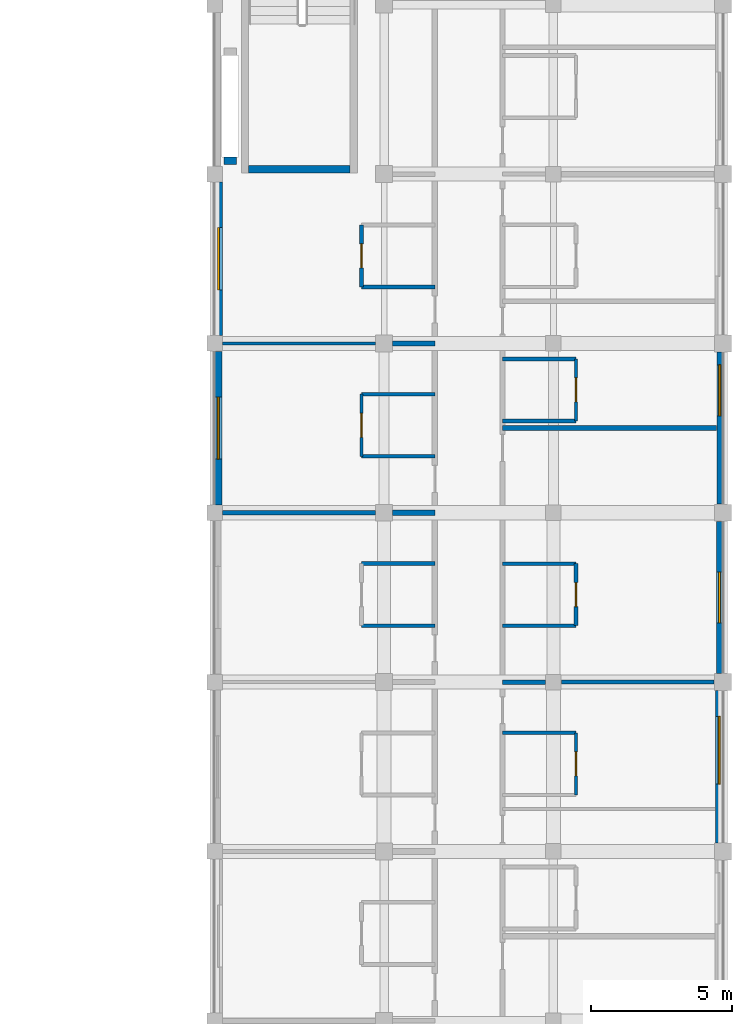
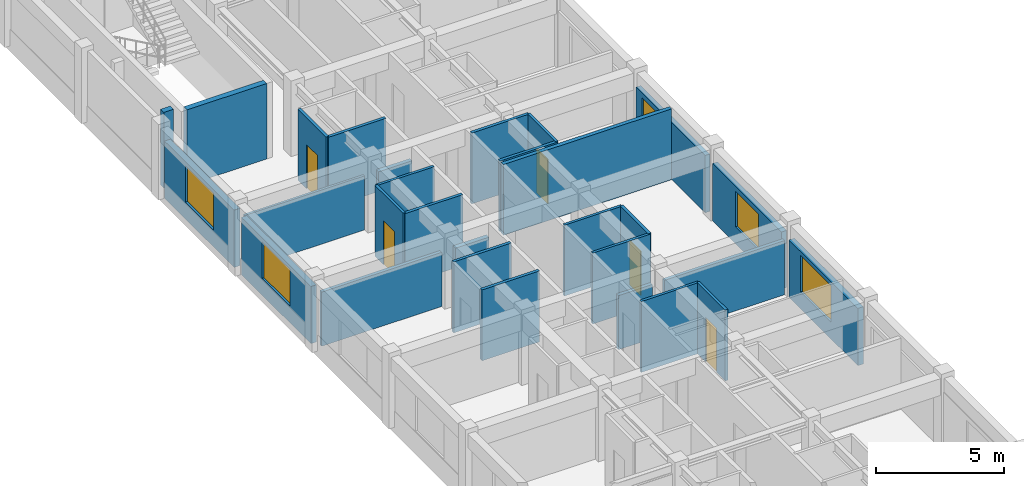
# One storey, part 13 of 25: 29 walls, 5 doors, 5 windows, 10 openings.
"""IFC4 building model written with IfcOpenShell, lengths in metres."""

import ifcopenshell
import ifcopenshell.guid

model = None  # the IFC model being written
_history = None  # IfcOwnerHistory: only IFC2X3 demands one
_inside = {}  # id of a spatial element -> (the spatial element, [elements in it])
_under = {}  # id of a project, library or spatial element -> (it, [spatial elements below it])
_declared = {}  # id of a project -> (the project, [libraries it declares])
_typed = {}  # id of a type object -> (the type object, [elements of that type])
_made_of = {}  # id of a material, layer set ... -> (it, [elements and type objects made of it])


def new_model(schema):
    """Start an empty IFC model of exactly this schema.

    Asked for "IFC4X3", IfcOpenShell would pick the latest addendum, in which some entities
    have other attributes; the version numbers below select the first issue.
    IFC2X3 requires an IfcOwnerHistory on every rooted entity: one is made here for all.
    """
    global model, _history
    if schema == "IFC4X3":
        model = ifcopenshell.file(schema_version=(4, 3, 0, 0))
    else:
        model = ifcopenshell.file(schema=schema)
    _inside.clear()
    _under.clear()
    _declared.clear()
    _typed.clear()
    _made_of.clear()
    _history = None
    if model.schema == "IFC2X3":
        org = make("IfcOrganization", Name="unknown")
        user = make(
            "IfcPersonAndOrganization",
            ThePerson=make("IfcPerson", FamilyName="unknown"),
            TheOrganization=org,
        )
        app = make(
            "IfcApplication",
            ApplicationDeveloper=org,
            Version="unknown",
            ApplicationFullName="unknown",
            ApplicationIdentifier="unknown",
        )
        _history = make(
            "IfcOwnerHistory",
            OwningUser=user,
            OwningApplication=app,
            ChangeAction="ADDED",
            CreationDate=0,
        )
    return model


def make(cls, **values):
    """One entity of the class cls with the attributes given. An attribute that is None is left unset."""
    return model.create_entity(
        cls, **{name: value for name, value in values.items() if value is not None}
    )


def rooted(cls, **values):
    """An entity with a GlobalId (a new one), such as an element, a storey or a relation."""
    return make(cls, GlobalId=ifcopenshell.guid.new(), OwnerHistory=_history, **values)


def si_unit(unit_type, name, prefix=None):
    """IfcSIUnit, for example si_unit("LENGTHUNIT", "METRE", prefix="MILLI")."""
    return make("IfcSIUnit", UnitType=unit_type, Prefix=prefix, Name=name)


def assignment(units):
    """IfcUnitAssignment: the units of a project."""
    return None if units is None else make("IfcUnitAssignment", Units=units)


def point(xyz):
    """IfcCartesianPoint."""
    return None if xyz is None else make("IfcCartesianPoint", Coordinates=xyz)


def direction(xyz):
    """IfcDirection."""
    return None if xyz is None else make("IfcDirection", DirectionRatios=xyz)


def frame(location, z_axis=None, x_axis=None):
    """IfcAxis2Placement3D, a coordinate frame: its origin and axes. An axis left out is left unset."""
    return make(
        "IfcAxis2Placement3D",
        Location=point(location),
        Axis=direction(z_axis),
        RefDirection=direction(x_axis),
    )


def frame_2d(location, x_axis=None):
    """IfcAxis2Placement2D, a coordinate frame in the plane: its origin and x axis."""
    return make(
        "IfcAxis2Placement2D", Location=point(location), RefDirection=direction(x_axis)
    )


def origin():
    """The frame at (0, 0, 0) with its axes left unset."""
    return frame((0.0, 0.0, 0.0))


def place(relative_to, where):
    """IfcLocalPlacement: puts the frame where relative to a parent placement (None: the world)."""
    return make(
        "IfcLocalPlacement", PlacementRelTo=relative_to, RelativePlacement=where
    )


def context(
    kind, dimensions, precision=None, world=None, true_north=None, identifier=None
):
    """IfcGeometricRepresentationContext, for example the 3D "Model" context."""
    return make(
        "IfcGeometricRepresentationContext",
        ContextIdentifier=identifier,
        ContextType=kind,
        CoordinateSpaceDimension=dimensions,
        Precision=precision,
        WorldCoordinateSystem=world,
        TrueNorth=true_north,
    )


def subcontext(parent, identifier, kind, view, scale=None):
    """IfcGeometricRepresentationSubContext, for example "Body" below "Model"."""
    return make(
        "IfcGeometricRepresentationSubContext",
        ContextIdentifier=identifier,
        ContextType=kind,
        ParentContext=parent,
        TargetScale=scale,
        TargetView=view,
    )


def project(units=None, contexts=None):
    """IfcProject with its units and contexts."""
    return rooted(
        "IfcProject",
        Name="project",
        RepresentationContexts=contexts,
        UnitsInContext=assignment(units),
    )


def spatial(cls, under=None, at=None, **own):
    """A site, building, storey or space (cls), placed at a placement, below another one or the project."""
    s = rooted(cls, ObjectPlacement=at, **own)
    if under is not None:
        _under.setdefault(under.id(), (under, []))[1].append(s)
    return s


def profile(cls, at=None, kind="AREA", **sizes):
    """A parametric profile (cls). Its sizes go by their IFC names, for example OverallWidth=200.0."""
    return make(cls, ProfileType=kind, Position=at, **sizes)


def rectangle(**sizes):
    """IfcRectangleProfileDef."""
    return profile("IfcRectangleProfileDef", **sizes)


def extrude(swept, where, along, depth):
    """IfcExtrudedAreaSolid: the profile swept, set in the frame where, extruded along a direction by depth."""
    return make(
        "IfcExtrudedAreaSolid",
        SweptArea=swept,
        Position=where,
        ExtrudedDirection=direction(along),
        Depth=depth,
    )


def shape(context_of_items, identifier, shape_type, items):
    """IfcShapeRepresentation: the items that make up one representation, for example the "Body"."""
    return make(
        "IfcShapeRepresentation",
        ContextOfItems=context_of_items,
        RepresentationIdentifier=identifier,
        RepresentationType=shape_type,
        Items=items,
    )


def material(Name=None, Category=None):
    """IfcMaterial."""
    return make("IfcMaterial", Name=Name, Category=Category)


def layer(
    of_material, thickness, ventilated=None, Name=None, Category=None, Priority=None
):
    """IfcMaterialLayer: one layer of a wall or slab, of a material (None: an air gap)."""
    return make(
        "IfcMaterialLayer",
        Material=of_material,
        LayerThickness=thickness,
        IsVentilated=ventilated,
        Name=Name,
        Category=Category,
        Priority=Priority,
    )


def layer_set(layers, Name=None):
    """IfcMaterialLayerSet."""
    return make("IfcMaterialLayerSet", MaterialLayers=layers, LayerSetName=Name)


def made_of(thing, what):
    """Note that an element or type object is made of a material, layer set ...; save() writes the relation."""
    if what is not None:
        _made_of.setdefault(what.id(), (what, []))[1].append(thing)
    return thing


def type_object(cls, material=None, **own):
    """A type object (cls), such as IfcWallType, which elements share."""
    return made_of(rooted(cls, **own), material)


def element(
    cls,
    number,
    at=None,
    inside=None,
    cuts=None,
    type_object=None,
    material=None,
    context=None,
    identifier="Body",
    shape_type=None,
    held_by="IfcProductDefinitionShape",
    body=None,
    shapes=None,
    **own,
):
    """One element of the class cls, such as IfcWall. Its Tag is "e" and its number.

    at: its placement. inside: the storey or other place that contains it. cuts: it is an
    opening in that element (IfcRelVoidsElement). A single representation is given by context,
    identifier, shape_type and body (its items); several are given by shapes. held_by: the class
    of the entity that holds the representations. save() writes the other relations.
    """
    e = rooted(cls, Tag="e%d" % number, ObjectPlacement=at, **own)
    if body is not None:
        shapes = [shape(context, identifier, shape_type, body)]
    if shapes is not None:
        e.Representation = make(held_by, Representations=shapes)
    if inside is not None:
        _inside.setdefault(inside.id(), (inside, []))[1].append(e)
    if cuts is not None:
        rooted(
            "IfcRelVoidsElement", RelatingBuildingElement=cuts, RelatedOpeningElement=e
        )
    if type_object is not None:
        _typed.setdefault(type_object.id(), (type_object, []))[1].append(e)
    return made_of(e, material)


def fill(opening, filler):
    """IfcRelFillsElement: the door or window that sits in an opening."""
    return rooted(
        "IfcRelFillsElement",
        RelatingOpeningElement=opening,
        RelatedBuildingElement=filler,
    )


def aggregate(whole, parts):
    """IfcRelAggregates: a whole, such as a stair, and the parts it consists of."""
    return rooted("IfcRelAggregates", RelatingObject=whole, RelatedObjects=parts)


def save(model, path):
    """Write the relations noted so far, then the file.

    IfcRelAggregates (storeys below a building ...), IfcRelContainedInSpatialStructure (elements
    in a storey), IfcRelDefinesByType, IfcRelAssociatesMaterial and IfcRelDeclares: one each for
    every whole, place, type object, material and project.
    """
    for whole, parts in _under.values():
        aggregate(whole, parts)
    for where, things in _inside.values():
        rooted(
            "IfcRelContainedInSpatialStructure",
            RelatedElements=things,
            RelatingStructure=where,
        )
    for kind, things in _typed.values():
        rooted("IfcRelDefinesByType", RelatedObjects=things, RelatingType=kind)
    for what, things in _made_of.values():
        rooted("IfcRelAssociatesMaterial", RelatedObjects=things, RelatingMaterial=what)
    for by, libraries in _declared.values():
        rooted("IfcRelDeclares", RelatingContext=by, RelatedDefinitions=libraries)
    model.write(path)


model = new_model("IFC4")

# Units and contexts
model_context = context("Model", 3, precision=1e-05, world=origin(), true_north=direction((0.0, 1.0)))
body_context = subcontext(model_context, "Body", "Model", "MODEL_VIEW")
ifc_project = project(units=[si_unit("LENGTHUNIT", "METRE"), si_unit("AREAUNIT", "SQUARE_METRE"), si_unit("VOLUMEUNIT", "CUBIC_METRE"), si_unit("PLANEANGLEUNIT", "RADIAN"), si_unit("MASSUNIT", "GRAM", prefix="KILO"), si_unit("THERMODYNAMICTEMPERATUREUNIT", "KELVIN"), si_unit("POWERUNIT", "WATT")], contexts=[model_context])

# Site, building, storey
site_placement = place(None, origin())
site = spatial("IfcSite", under=ifc_project, at=site_placement, CompositionType="ELEMENT")
building_placement = place(site_placement, origin())
building = spatial("IfcBuilding", under=site, at=building_placement, Name="Phaisarnlok Congress Hotel", CompositionType="ELEMENT")
storey_placement = place(building_placement, frame((0.0, 0.0, 24.60009765625)))
storey = spatial("IfcBuildingStorey", under=building, at=storey_placement, Name="L05", CompositionType="ELEMENT", Elevation=24.60009765625)

# Wall, opening, window
ifc_material_1 = material(Name="Concrete C40/50", Category="concrete")
ifc_layer_1 = layer(ifc_material_1, 0.2099609375, Name="Concrete C40/50")
ifc_layer_set_1 = layer_set([ifc_layer_1], Name="Concrete C40/50")
wall_type_1 = type_object("IfcWallType", Name="WL-EXT-210", PredefinedType="SOLIDWALL", material=ifc_layer_set_1)
wall_1_placement = place(storey_placement, frame((179.89501953125, 66.304931640625, 0.0), z_axis=(0.0, 0.0, 1.0), x_axis=(0.0, 1.0, 0.0)))
wall_1 = element("IfcWall", 1, at=wall_1_placement, inside=storey, type_object=wall_type_1, Name="Exterior wall EW-07 (L05)", PredefinedType="SOLIDWALL", context=body_context, shape_type="SweptSolid", body=[
    extrude(rectangle(XDim=5.39013671875, YDim=0.2099609375, at=frame_2d((2.695068359375, 0.0))), origin(), (0.0, 0.0, 1.0), 2.72998046875),
])
opening_1_placement = place(wall_1_placement, frame((3.132080078125, 0.0, 0.800048828125)))
opening_1 = element("IfcOpeningElement", 2, at=opening_1_placement, cuts=wall_1, Name="Opening W-10", PredefinedType="OPENING", context=body_context, shape_type="SweptSolid", body=[
    extrude(rectangle(XDim=1.800048828125, YDim=1.699951171875, at=frame_2d((0.89990234375, 0.85009765625))), frame((0.0, 0.114990234375, 0.0), z_axis=(0.0, -1.0, 0.0), x_axis=(1.0, 0.0, 0.0)), (0.0, 0.0, 1.0), 0.22998046875),
])
ifc_material_2 = material(Name="Thermally Broken Aluminium & Low-E Double Glazing", Category="aluminium")
window_type_1 = type_object("IfcWindowType", Name="WIN-POD-1800", PartitioningType="SINGLE_PANEL", PredefinedType="WINDOW", material=ifc_material_2)
window_1_placement = place(opening_1_placement, origin())
window_1 = element("IfcWindow", 3, at=window_1_placement, inside=storey, type_object=window_type_1, Name="Guestroom window W-10 (L05)", OverallHeight=1.699951171875, OverallWidth=1.800048828125, PartitioningType="SINGLE_PANEL", PredefinedType="WINDOW", context=body_context, shape_type="SweptSolid", body=[
    extrude(rectangle(XDim=1.800048828125, YDim=1.699951171875, at=frame_2d((0.89990234375, 0.85009765625))), frame((0.0, 0.030029296875, 0.0), z_axis=(0.0, -1.0, 0.0), x_axis=(1.0, 0.0, 0.0)), (0.0, 0.0, 1.0), 0.06005859375),
])
fill(opening_1, window_1)

ifc_layer_2 = layer(ifc_material_1, 0.22998046875, Name="Concrete C40/50")
ifc_layer_set_2 = layer_set([ifc_layer_2], Name="Concrete C40/50")
wall_type_2 = type_object("IfcWallType", Name="WL-EXT-230", PredefinedType="SOLIDWALL", material=ifc_layer_set_2)
wall_2_placement = place(storey_placement, frame((179.885009765625, 60.304931640625, 0.0), z_axis=(0.0, 0.0, 1.0), x_axis=(0.0, 1.0, 0.0)))
wall_2 = element("IfcWall", 4, at=wall_2_placement, inside=storey, type_object=wall_type_2, Name="Exterior wall EW-06 (L05)", PredefinedType="SOLIDWALL", context=body_context, shape_type="SweptSolid", body=[
    extrude(rectangle(XDim=5.39013671875, YDim=0.22998046875, at=frame_2d((2.695068359375, 0.0))), origin(), (0.0, 0.0, 1.0), 2.72998046875),
])
opening_2_placement = place(wall_2_placement, frame((1.794921875, 0.0, 0.800048828125)))
opening_2 = element("IfcOpeningElement", 5, at=opening_2_placement, cuts=wall_2, Name="Opening W-10", PredefinedType="OPENING", context=body_context, shape_type="SweptSolid", body=[
    extrude(rectangle(XDim=1.800048828125, YDim=1.699951171875, at=frame_2d((0.89990234375, 0.85009765625))), frame((0.0, 0.125, 0.0), z_axis=(0.0, -1.0, 0.0), x_axis=(1.0, 0.0, 0.0)), (0.0, 0.0, 1.0), 0.25),
])
window_2_placement = place(opening_2_placement, origin())
window_2 = element("IfcWindow", 6, at=window_2_placement, inside=storey, type_object=window_type_1, Name="Guestroom window W-10 (L05)", OverallHeight=1.699951171875, OverallWidth=1.800048828125, PartitioningType="SINGLE_PANEL", PredefinedType="WINDOW", context=body_context, shape_type="SweptSolid", body=[
    extrude(rectangle(XDim=1.800048828125, YDim=1.699951171875, at=frame_2d((0.89990234375, 0.85009765625))), frame((0.0, 0.030029296875, 0.0), z_axis=(0.0, -1.0, 0.0), x_axis=(1.0, 0.0, 0.0)), (0.0, 0.0, 1.0), 0.06005859375),
])
fill(opening_2, window_2)

ifc_layer_3 = layer(ifc_material_1, 0.25, Name="Concrete C40/50")
ifc_layer_set_3 = layer_set([ifc_layer_3], Name="Concrete C40/50")
wall_type_3 = type_object("IfcWallType", Name="WL-EXT-250", PredefinedType="SOLIDWALL", material=ifc_layer_set_3)
wall_3_placement = place(storey_placement, frame((179.875, 54.304931640625, 0.0), z_axis=(0.0, 0.0, 1.0), x_axis=(0.0, 1.0, 0.0)))
wall_3 = element("IfcWall", 7, at=wall_3_placement, inside=storey, type_object=wall_type_3, Name="Exterior wall EW-05 (L05)", PredefinedType="SOLIDWALL", context=body_context, shape_type="SweptSolid", body=[
    extrude(rectangle(XDim=5.39013671875, YDim=0.25, at=frame_2d((2.695068359375, 0.0))), origin(), (0.0, 0.0, 1.0), 2.72998046875),
])
opening_3_placement = place(wall_3_placement, frame((2.0830078125, 0.0, 0.800048828125)))
opening_3 = element("IfcOpeningElement", 8, at=opening_3_placement, cuts=wall_3, Name="Opening W-01", PredefinedType="OPENING", context=body_context, shape_type="SweptSolid", body=[
    extrude(rectangle(XDim=2.39990234375, YDim=1.75, at=frame_2d((1.199951171875, 0.875))), frame((0.0, 0.135009765625, 0.0), z_axis=(0.0, -1.0, 0.0), x_axis=(1.0, 0.0, 0.0)), (0.0, 0.0, 1.0), 0.27001953125),
])
window_type_2 = type_object("IfcWindowType", Name="WIN-HOTEL-2400", PartitioningType="SINGLE_PANEL", PredefinedType="WINDOW", material=ifc_material_2)
window_3_placement = place(opening_3_placement, origin())
window_3 = element("IfcWindow", 9, at=window_3_placement, inside=storey, type_object=window_type_2, Name="Guestroom window W-01 (L05)", OverallHeight=1.75, OverallWidth=2.39990234375, PartitioningType="SINGLE_PANEL", PredefinedType="WINDOW", context=body_context, shape_type="SweptSolid", body=[
    extrude(rectangle(XDim=2.39990234375, YDim=1.75, at=frame_2d((1.199951171875, 0.875))), frame((0.0, 0.030029296875, 0.0), z_axis=(0.0, -1.0, 0.0), x_axis=(1.0, 0.0, 0.0)), (0.0, 0.0, 1.0), 0.06005859375),
])
fill(opening_3, window_3)

wall_4_placement = place(storey_placement, frame((162.125, 71.719970703125, 0.0), z_axis=(0.0, 0.0, 1.0), x_axis=(0.0, -1.0, 0.0)))
wall_4 = element("IfcWall", 10, at=wall_4_placement, inside=storey, type_object=wall_type_3, Name="Exterior wall EW-05 (L05)", PredefinedType="SOLIDWALL", context=body_context, shape_type="SweptSolid", body=[
    extrude(rectangle(XDim=5.43994140625, YDim=0.25, at=frame_2d((2.719970703125, 0.0))), origin(), (0.0, 0.0, 1.0), 2.72998046875),
])
opening_4_placement = place(wall_4_placement, frame((1.6201171875, 0.0, 0.800048828125)))
opening_4 = element("IfcOpeningElement", 11, at=opening_4_placement, cuts=wall_4, Name="Opening W-02", PredefinedType="OPENING", context=body_context, shape_type="SweptSolid", body=[
    extrude(rectangle(XDim=2.199951171875, YDim=1.75, at=frame_2d((1.10009765625, 0.875))), frame((0.0, 0.135009765625, 0.0), z_axis=(0.0, -1.0, 0.0), x_axis=(1.0, 0.0, 0.0)), (0.0, 0.0, 1.0), 0.27001953125),
])
window_type_3 = type_object("IfcWindowType", Name="WIN-HOTEL-2200", PartitioningType="SINGLE_PANEL", PredefinedType="WINDOW", material=ifc_material_2)
window_4_placement = place(opening_4_placement, origin())
window_4 = element("IfcWindow", 12, at=window_4_placement, inside=storey, type_object=window_type_3, Name="Guestroom window W-02 (L05)", OverallHeight=1.75, OverallWidth=2.199951171875, PartitioningType="SINGLE_PANEL", PredefinedType="WINDOW", context=body_context, shape_type="SweptSolid", body=[
    extrude(rectangle(XDim=2.199951171875, YDim=1.75, at=frame_2d((1.10009765625, 0.875))), frame((0.0, 0.030029296875, 0.0), z_axis=(0.0, -1.0, 0.0), x_axis=(1.0, 0.0, 0.0)), (0.0, 0.0, 1.0), 0.06005859375),
])
fill(opening_4, window_4)

ifc_layer_4 = layer(ifc_material_1, 0.27001953125, Name="Concrete C40/50")
ifc_layer_set_4 = layer_set([ifc_layer_4], Name="Concrete C40/50")
wall_type_4 = type_object("IfcWallType", Name="WL-EXT-270", PredefinedType="SOLIDWALL", material=ifc_layer_set_4)
wall_5_placement = place(storey_placement, frame((162.135009765625, 77.719970703125, 0.0), z_axis=(0.0, 0.0, 1.0), x_axis=(0.0, -1.0, 0.0)))
wall_5 = element("IfcWall", 13, at=wall_5_placement, inside=storey, type_object=wall_type_4, Name="Exterior wall EW-04 (L05)", PredefinedType="SOLIDWALL", context=body_context, shape_type="SweptSolid", body=[
    extrude(rectangle(XDim=5.43994140625, YDim=0.27001953125, at=frame_2d((2.719970703125, 0.0))), origin(), (0.0, 0.0, 1.0), 2.72998046875),
])
opening_5_placement = place(wall_5_placement, frame((1.6201171875, 0.0, 0.800048828125)))
opening_5 = element("IfcOpeningElement", 14, at=opening_5_placement, cuts=wall_5, Name="Opening W-02", PredefinedType="OPENING", context=body_context, shape_type="SweptSolid", body=[
    extrude(rectangle(XDim=2.199951171875, YDim=1.75, at=frame_2d((1.10009765625, 0.875))), frame((0.0, 0.14501953125, 0.0), z_axis=(0.0, -1.0, 0.0), x_axis=(1.0, 0.0, 0.0)), (0.0, 0.0, 1.0), 0.2900390625),
])
window_5_placement = place(opening_5_placement, origin())
window_5 = element("IfcWindow", 15, at=window_5_placement, inside=storey, type_object=window_type_3, Name="Guestroom window W-02 (L05)", OverallHeight=1.75, OverallWidth=2.199951171875, PartitioningType="SINGLE_PANEL", PredefinedType="WINDOW", context=body_context, shape_type="SweptSolid", body=[
    extrude(rectangle(XDim=2.199951171875, YDim=1.75, at=frame_2d((1.10009765625, 0.875))), frame((0.0, 0.030029296875, 0.0), z_axis=(0.0, -1.0, 0.0), x_axis=(1.0, 0.0, 0.0)), (0.0, 0.0, 1.0), 0.06005859375),
])
fill(opening_5, window_5)

# Wall
ifc_material_3 = material(Name="Service Riser Shaftwall Partition", Category="gypsum")
ifc_layer_5 = layer(ifc_material_3, 0.10498046875, Name="Service Riser Shaftwall Partition")
ifc_layer_set_5 = layer_set([ifc_layer_5], Name="Service Riser Shaftwall Partition")
wall_type_5 = type_object("IfcWallType", Name="WL-INT-105", PredefinedType="PARTITIONING", material=ifc_layer_set_5)
wall_6_placement = place(storey_placement, frame((162.280029296875, 72.0, 0.0), z_axis=(0.0, 0.0, 1.0), x_axis=(1.0, 0.0, 0.0)))
element("IfcWall", 16, at=wall_6_placement, inside=storey, type_object=wall_type_5, Name="Interior partition wall IW-08 (L05)", PredefinedType="PARTITIONING", context=body_context, shape_type="SweptSolid", body=[
    extrude(rectangle(XDim=5.4150390625, YDim=0.10498046875, at=frame_2d((2.70751953125, 0.0))), origin(), (0.0, 0.0, 1.0), 2.579833984375),
])

# Wall, opening, door
ifc_material_4 = material(Name="Lightweight Metal-Stud Gypsum Partition", Category="gypsum")
ifc_layer_6 = layer(ifc_material_4, 0.1201171875, Name="Lightweight Metal-Stud Gypsum Partition")
ifc_layer_set_6 = layer_set([ifc_layer_6], Name="Lightweight Metal-Stud Gypsum Partition")
wall_type_6 = type_object("IfcWallType", Name="WL-INT-120", PredefinedType="PARTITIONING", material=ifc_layer_set_6)
wall_7_placement = place(storey_placement, frame((167.199951171875, 68.0, 0.0), z_axis=(0.0, 0.0, 1.0), x_axis=(0.0, 1.0, 0.0)))
wall_7 = element("IfcWall", 17, at=wall_7_placement, inside=storey, type_object=wall_type_6, Name="Interior partition wall IW-07 (L05)", PredefinedType="PARTITIONING", context=body_context, shape_type="SweptSolid", body=[
    extrude(rectangle(XDim=2.199951171875, YDim=0.1201171875, at=frame_2d((1.10009765625, 0.0))), origin(), (0.0, 0.0, 1.0), 3.3798828125),
])
opening_6_placement = place(wall_7_placement, frame((0.675048828125, 0.0, 0.0)))
opening_6 = element("IfcOpeningElement", 18, at=opening_6_placement, cuts=wall_7, Name="Opening D-0218", PredefinedType="OPENING", context=body_context, shape_type="SweptSolid", body=[
    extrude(rectangle(XDim=0.85009765625, YDim=2.10009765625, at=frame_2d((0.425048828125, 1.050048828125))), frame((0.0, 0.070068359375, 0.0), z_axis=(0.0, -1.0, 0.0), x_axis=(1.0, 0.0, 0.0)), (0.0, 0.0, 1.0), 0.14013671875),
])
ifc_material_5 = material(Name="Moisture-Resistant Lacquered Timber", Category="wood")
door_type = type_object("IfcDoorType", Name="DR-BATH-850", OperationType="NOTDEFINED", PredefinedType="DOOR", material=ifc_material_5)
door_1_placement = place(opening_6_placement, origin())
door_1 = element("IfcDoor", 19, at=door_1_placement, inside=storey, type_object=door_type, Name="Interior door D-0218 (L05)", OperationType="SINGLE_SWING_RIGHT", OverallHeight=2.10009765625, OverallWidth=0.85009765625, PredefinedType="DOOR", context=body_context, shape_type="SweptSolid", body=[
    extrude(rectangle(XDim=0.85009765625, YDim=2.10009765625, at=frame_2d((0.425048828125, 1.050048828125))), frame((0.0, 0.02490234375, 0.0), z_axis=(0.0, -1.0, 0.0), x_axis=(1.0, 0.0, 0.0)), (0.0, 0.0, 1.0), 0.050048828125),
])
fill(opening_6, door_1)

wall_8_placement = place(storey_placement, frame((174.800048828125, 56.0, 0.0), z_axis=(0.0, 0.0, 1.0), x_axis=(0.0, 1.0, 0.0)))
wall_8 = element("IfcWall", 20, at=wall_8_placement, inside=storey, type_object=wall_type_6, Name="Interior partition wall IW-07 (L05)", PredefinedType="PARTITIONING", context=body_context, shape_type="SweptSolid", body=[
    extrude(rectangle(XDim=2.199951171875, YDim=0.1201171875, at=frame_2d((1.10009765625, 0.0))), origin(), (0.0, 0.0, 1.0), 3.3798828125),
])
opening_7_placement = place(wall_8_placement, frame((0.675048828125, 0.0, 0.0)))
opening_7 = element("IfcOpeningElement", 21, at=opening_7_placement, cuts=wall_8, Name="Opening D-0191", PredefinedType="OPENING", context=body_context, shape_type="SweptSolid", body=[
    extrude(rectangle(XDim=0.85009765625, YDim=2.10009765625, at=frame_2d((0.425048828125, 1.050048828125))), frame((0.0, 0.070068359375, 0.0), z_axis=(0.0, -1.0, 0.0), x_axis=(1.0, 0.0, 0.0)), (0.0, 0.0, 1.0), 0.14013671875),
])
door_2_placement = place(opening_7_placement, origin())
door_2 = element("IfcDoor", 22, at=door_2_placement, inside=storey, type_object=door_type, Name="Interior door D-0191 (L05)", OperationType="SINGLE_SWING_LEFT", OverallHeight=2.10009765625, OverallWidth=0.85009765625, PredefinedType="DOOR", context=body_context, shape_type="SweptSolid", body=[
    extrude(rectangle(XDim=0.85009765625, YDim=2.10009765625, at=frame_2d((0.425048828125, 1.050048828125))), frame((0.0, 0.02490234375, 0.0), z_axis=(0.0, -1.0, 0.0), x_axis=(1.0, 0.0, 0.0)), (0.0, 0.0, 1.0), 0.050048828125),
])
fill(opening_7, door_2)

wall_9_placement = place(storey_placement, frame((174.800048828125, 69.25, 0.0), z_axis=(0.0, 0.0, 1.0), x_axis=(0.0, 1.0, 0.0)))
wall_9 = element("IfcWall", 23, at=wall_9_placement, inside=storey, type_object=wall_type_6, Name="Interior partition wall IW-07 (L05)", PredefinedType="PARTITIONING", context=body_context, shape_type="SweptSolid", body=[
    extrude(rectangle(XDim=2.199951171875, YDim=0.1201171875, at=frame_2d((1.10009765625, 0.0))), origin(), (0.0, 0.0, 1.0), 3.3798828125),
])
opening_8_placement = place(wall_9_placement, frame((0.675048828125, 0.0, 0.0)))
opening_8 = element("IfcOpeningElement", 24, at=opening_8_placement, cuts=wall_9, Name="Opening D-0195", PredefinedType="OPENING", context=body_context, shape_type="SweptSolid", body=[
    extrude(rectangle(XDim=0.85009765625, YDim=2.10009765625, at=frame_2d((0.425048828125, 1.050048828125))), frame((0.0, 0.070068359375, 0.0), z_axis=(0.0, -1.0, 0.0), x_axis=(1.0, 0.0, 0.0)), (0.0, 0.0, 1.0), 0.14013671875),
])
door_3_placement = place(opening_8_placement, origin())
door_3 = element("IfcDoor", 25, at=door_3_placement, inside=storey, type_object=door_type, Name="Interior door D-0195 (L05)", OperationType="SINGLE_SWING_LEFT", OverallHeight=2.10009765625, OverallWidth=0.85009765625, PredefinedType="DOOR", context=body_context, shape_type="SweptSolid", body=[
    extrude(rectangle(XDim=0.85009765625, YDim=2.10009765625, at=frame_2d((0.425048828125, 1.050048828125))), frame((0.0, 0.02490234375, 0.0), z_axis=(0.0, -1.0, 0.0), x_axis=(1.0, 0.0, 0.0)), (0.0, 0.0, 1.0), 0.050048828125),
])
fill(opening_8, door_3)

# Walls
for number, where, z_axis, x_axis, name in (
    (26, (172.199951171875, 58.199951171875, 0.0), (0.0, 0.0, 1.0), (1.0, 0.0, 0.0), "Interior partition wall IW-07 (L05)"),
    (27, (172.199951171875, 62.0, 0.0), (0.0, 0.0, 1.0), (1.0, 0.0, 0.0), "Interior partition wall IW-07 (L05)"),
    (28, (172.199951171875, 64.199951171875, 0.0), (0.0, 0.0, 1.0), (1.0, 0.0, 0.0), "Interior partition wall IW-07 (L05)"),
    (29, (167.199951171875, 70.199951171875, 0.0), (0.0, 0.0, 1.0), (1.0, 0.0, 0.0), "Interior partition wall IW-07 (L05)"),
):
    element("IfcWall", number, at=place(storey_placement, frame(where, z_axis=z_axis, x_axis=x_axis)), inside=storey, type_object=wall_type_6, Name=name, PredefinedType="PARTITIONING", context=body_context, shape_type="SweptSolid", body=[
        extrude(rectangle(XDim=2.60009765625, YDim=0.1201171875, at=frame_2d((1.300048828125, 0.0))), origin(), (0.0, 0.0, 1.0), 3.3798828125),
    ])

# Wall, opening, door
ifc_material_6 = material(Name="Moisture-Resistant Gypsum Partition", Category="gypsum")
ifc_layer_7 = layer(ifc_material_6, 0.135009765625, Name="Moisture-Resistant Gypsum Partition")
ifc_layer_set_7 = layer_set([ifc_layer_7], Name="Moisture-Resistant Gypsum Partition")
wall_type_7 = type_object("IfcWallType", Name="WL-INT-135", PredefinedType="PARTITIONING", material=ifc_layer_set_7)
wall_10_placement = place(storey_placement, frame((167.199951171875, 74.0, 0.0), z_axis=(0.0, 0.0, 1.0), x_axis=(0.0, 1.0, 0.0)))
wall_10 = element("IfcWall", 30, at=wall_10_placement, inside=storey, type_object=wall_type_7, Name="Interior partition wall IW-06 (L05)", PredefinedType="PARTITIONING", context=body_context, shape_type="SweptSolid", body=[
    extrude(rectangle(XDim=2.199951171875, YDim=0.135009765625, at=frame_2d((1.10009765625, 0.0))), origin(), (0.0, 0.0, 1.0), 3.3798828125),
])
opening_9_placement = place(wall_10_placement, frame((0.675048828125, 0.0, 0.0)))
opening_9 = element("IfcOpeningElement", 31, at=opening_9_placement, cuts=wall_10, Name="Opening D-0220", PredefinedType="OPENING", context=body_context, shape_type="SweptSolid", body=[
    extrude(rectangle(XDim=0.85009765625, YDim=2.10009765625, at=frame_2d((0.425048828125, 1.050048828125))), frame((0.0, 0.07763671875, 0.0), z_axis=(0.0, -1.0, 0.0), x_axis=(1.0, 0.0, 0.0)), (0.0, 0.0, 1.0), 0.155029296875),
])
door_4_placement = place(opening_9_placement, origin())
door_4 = element("IfcDoor", 32, at=door_4_placement, inside=storey, type_object=door_type, Name="Interior door D-0220 (L05)", OperationType="SINGLE_SWING_RIGHT", OverallHeight=2.10009765625, OverallWidth=0.85009765625, PredefinedType="DOOR", context=body_context, shape_type="SweptSolid", body=[
    extrude(rectangle(XDim=0.85009765625, YDim=2.10009765625, at=frame_2d((0.425048828125, 1.050048828125))), frame((0.0, 0.02490234375, 0.0), z_axis=(0.0, -1.0, 0.0), x_axis=(1.0, 0.0, 0.0)), (0.0, 0.0, 1.0), 0.050048828125),
])
fill(opening_9, door_4)

wall_11_placement = place(storey_placement, frame((174.800048828125, 62.0, 0.0), z_axis=(0.0, 0.0, 1.0), x_axis=(0.0, 1.0, 0.0)))
wall_11 = element("IfcWall", 33, at=wall_11_placement, inside=storey, type_object=wall_type_7, Name="Interior partition wall IW-06 (L05)", PredefinedType="PARTITIONING", context=body_context, shape_type="SweptSolid", body=[
    extrude(rectangle(XDim=2.199951171875, YDim=0.135009765625, at=frame_2d((1.10009765625, 0.0))), origin(), (0.0, 0.0, 1.0), 3.3798828125),
])
opening_10_placement = place(wall_11_placement, frame((0.675048828125, 0.0, 0.0)))
opening_10 = element("IfcOpeningElement", 34, at=opening_10_placement, cuts=wall_11, Name="Opening D-0193", PredefinedType="OPENING", context=body_context, shape_type="SweptSolid", body=[
    extrude(rectangle(XDim=0.85009765625, YDim=2.10009765625, at=frame_2d((0.425048828125, 1.050048828125))), frame((0.0, 0.07763671875, 0.0), z_axis=(0.0, -1.0, 0.0), x_axis=(1.0, 0.0, 0.0)), (0.0, 0.0, 1.0), 0.155029296875),
])
door_5_placement = place(opening_10_placement, origin())
door_5 = element("IfcDoor", 35, at=door_5_placement, inside=storey, type_object=door_type, Name="Interior door D-0193 (L05)", OperationType="SINGLE_SWING_LEFT", OverallHeight=2.10009765625, OverallWidth=0.85009765625, PredefinedType="DOOR", context=body_context, shape_type="SweptSolid", body=[
    extrude(rectangle(XDim=0.85009765625, YDim=2.10009765625, at=frame_2d((0.425048828125, 1.050048828125))), frame((0.0, 0.02490234375, 0.0), z_axis=(0.0, -1.0, 0.0), x_axis=(1.0, 0.0, 0.0)), (0.0, 0.0, 1.0), 0.050048828125),
])
fill(opening_10, door_5)

# Walls
for number, where, z_axis, x_axis, name in (
    (36, (167.199951171875, 62.0, 0.0), (0.0, 0.0, 1.0), (1.0, 0.0, 0.0), "Interior partition wall IW-06 (L05)"),
    (37, (167.199951171875, 64.199951171875, 0.0), (0.0, 0.0, 1.0), (1.0, 0.0, 0.0), "Interior partition wall IW-06 (L05)"),
    (38, (167.199951171875, 68.0, 0.0), (0.0, 0.0, 1.0), (1.0, 0.0, 0.0), "Interior partition wall IW-06 (L05)"),
    (39, (172.199951171875, 69.25, 0.0), (0.0, 0.0, 1.0), (1.0, 0.0, 0.0), "Interior partition wall IW-06 (L05)"),
    (40, (172.199951171875, 71.449951171875, 0.0), (0.0, 0.0, 1.0), (1.0, 0.0, 0.0), "Interior partition wall IW-06 (L05)"),
    (41, (167.199951171875, 74.0, 0.0), (0.0, 0.0, 1.0), (1.0, 0.0, 0.0), "Interior partition wall IW-06 (L05)"),
):
    element("IfcWall", number, at=place(storey_placement, frame(where, z_axis=z_axis, x_axis=x_axis)), inside=storey, type_object=wall_type_7, Name=name, PredefinedType="PARTITIONING", context=body_context, shape_type="SweptSolid", body=[
        extrude(rectangle(XDim=2.60009765625, YDim=0.135009765625, at=frame_2d((1.300048828125, 0.0))), origin(), (0.0, 0.0, 1.0), 3.3798828125),
    ])
ifc_material_7 = material(Name="Acoustic Gypsum Board & Mineral Wool", Category="gypsum")
ifc_layer_8 = layer(ifc_material_7, 0.14990234375, Name="Acoustic Gypsum Board & Mineral Wool")
ifc_layer_set_8 = layer_set([ifc_layer_8], Name="Acoustic Gypsum Board & Mineral Wool")
wall_type_8 = type_object("IfcWallType", Name="WL-INT-150", PredefinedType="PARTITIONING", material=ifc_layer_set_8)
for number, where, z_axis, x_axis, name in (
    (42, (174.280029296875, 60.0, 0.0), (0.0, 0.0, 1.0), (1.0, 0.0, 0.0), "Interior partition wall IW-05 (L05)"),
    (43, (162.280029296875, 66.0, 0.0), (0.0, 0.0, 1.0), (1.0, 0.0, 0.0), "Interior partition wall IW-05 (L05)"),
):
    element("IfcWall", number, at=place(storey_placement, frame(where, z_axis=z_axis, x_axis=x_axis)), inside=storey, type_object=wall_type_8, Name=name, PredefinedType="PARTITIONING", context=body_context, shape_type="SweptSolid", body=[
        extrude(rectangle(XDim=5.4150390625, YDim=0.14990234375, at=frame_2d((2.70751953125, 0.0))), origin(), (0.0, 0.0, 1.0), 2.579833984375),
    ])
ifc_material_8 = material(Name="Double-Stud Acoustic Gypsum Partition", Category="gypsum")
ifc_layer_9 = layer(ifc_material_8, 0.159912109375, Name="Double-Stud Acoustic Gypsum Partition")
ifc_layer_set_9 = layer_set([ifc_layer_9], Name="Double-Stud Acoustic Gypsum Partition")
wall_type_9 = type_object("IfcWallType", Name="WL-INT-160", PredefinedType="PARTITIONING", material=ifc_layer_set_9)
wall_12_placement = place(storey_placement, frame((172.199951171875, 60.0, 0.0), z_axis=(0.0, 0.0, 1.0), x_axis=(1.0, 0.0, 0.0)))
element("IfcWall", 44, at=wall_12_placement, inside=storey, type_object=wall_type_9, Name="Interior partition wall IW-04 (L05)", PredefinedType="PARTITIONING", context=body_context, shape_type="SweptSolid", body=[
    extrude(rectangle(XDim=1.52001953125, YDim=0.159912109375, at=frame_2d((0.760009765625, 0.0))), origin(), (0.0, 0.0, 1.0), 2.579833984375),
])
ifc_material_9 = material(Name="Autoclaved Aerated Concrete Block", Category="concrete")
ifc_layer_10 = layer(ifc_material_9, 0.179931640625, Name="Autoclaved Aerated Concrete Block")
ifc_layer_set_10 = layer_set([ifc_layer_10], Name="Autoclaved Aerated Concrete Block")
wall_type_10 = type_object("IfcWallType", Name="WL-INT-180", PredefinedType="PARTITIONING", material=ifc_layer_set_10)
wall_13_placement = place(storey_placement, frame((172.199951171875, 69.0, 0.0), z_axis=(0.0, 0.0, 1.0), x_axis=(1.0, 0.0, 0.0)))
element("IfcWall", 45, at=wall_13_placement, inside=storey, type_object=wall_type_10, Name="Interior partition wall IW-03 (L05)", PredefinedType="PARTITIONING", context=body_context, shape_type="SweptSolid", body=[
    extrude(rectangle(XDim=7.5849609375, YDim=0.179931640625, at=frame_2d((3.79248046875, 0.0))), origin(), (0.0, 0.0, 1.0), 3.3798828125),
])
wall_14_placement = place(storey_placement, frame((168.304931640625, 72.0, 0.0), z_axis=(0.0, 0.0, 1.0), x_axis=(1.0, 0.0, 0.0)))
element("IfcWall", 46, at=wall_14_placement, inside=storey, type_object=wall_type_10, Name="Interior partition wall IW-03 (L05)", PredefinedType="PARTITIONING", context=body_context, shape_type="SweptSolid", body=[
    extrude(rectangle(XDim=1.4951171875, YDim=0.179931640625, at=frame_2d((0.74755859375, 0.0))), origin(), (0.0, 0.0, 1.0), 2.579833984375),
])
ifc_layer_11 = layer(ifc_material_9, 0.199951171875, Name="Autoclaved Aerated Concrete Block")
ifc_layer_set_11 = layer_set([ifc_layer_11], Name="Autoclaved Aerated Concrete Block")
wall_type_11 = type_object("IfcWallType", Name="WL-INT-200", PredefinedType="PARTITIONING", material=ifc_layer_set_11)
wall_15_placement = place(storey_placement, frame((168.304931640625, 66.0, 0.0), z_axis=(0.0, 0.0, 1.0), x_axis=(1.0, 0.0, 0.0)))
element("IfcWall", 47, at=wall_15_placement, inside=storey, type_object=wall_type_11, Name="Interior partition wall IW-02 (L05)", PredefinedType="PARTITIONING", context=body_context, shape_type="SweptSolid", body=[
    extrude(rectangle(XDim=1.4951171875, YDim=0.199951171875, at=frame_2d((0.74755859375, 0.0))), origin(), (0.0, 0.0, 1.0), 2.579833984375),
])
ifc_material_10 = material(Name="Concrete C50/60", Category="concrete")
ifc_layer_12 = layer(ifc_material_10, 0.260009765625, Name="Concrete C50/60")
ifc_layer_set_12 = layer_set([ifc_layer_12], Name="Concrete C50/60")
wall_type_12 = type_object("IfcWallType", Name="WL-SHR-260", PredefinedType="SHEAR", material=ifc_layer_set_12)
wall_16_placement = place(storey_placement, frame((163.199951171875, 78.169921875, 0.0), z_axis=(0.0, 0.0, 1.0), x_axis=(1.0, 0.0, 0.0)))
element("IfcWall", 48, at=wall_16_placement, inside=storey, type_object=wall_type_12, Name="Stair shaft shear wall SW-04 (CORE-3 L05)", PredefinedType="SHEAR", context=body_context, shape_type="SweptSolid", body=[
    extrude(rectangle(XDim=3.60009765625, YDim=0.260009765625, at=frame_2d((1.800048828125, 0.0))), origin(), (0.0, 0.0, 1.0), 3.599853515625),
])
wall_17_placement = place(storey_placement, frame((162.330078125, 78.469970703125, 0.0), z_axis=(0.0, 0.0, 1.0), x_axis=(1.0, 0.0, 0.0)))
element("IfcWall", 49, at=wall_17_placement, inside=storey, type_object=wall_type_12, Name="Service riser shaft wall SW-04 (CORE-3 L05)", PredefinedType="SHEAR", context=body_context, shape_type="SweptSolid", body=[
    extrude(rectangle(XDim=0.43994140625, YDim=0.260009765625, at=frame_2d((0.219970703125, 0.0))), origin(), (0.0, 0.0, 1.0), 3.599853515625),
])

save(model, "model.ifc")
